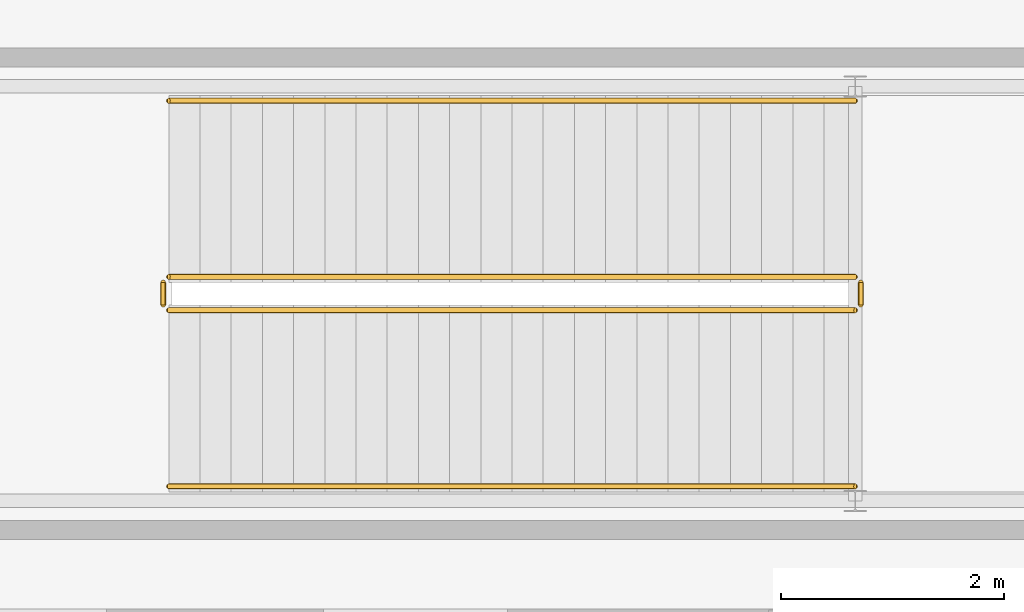
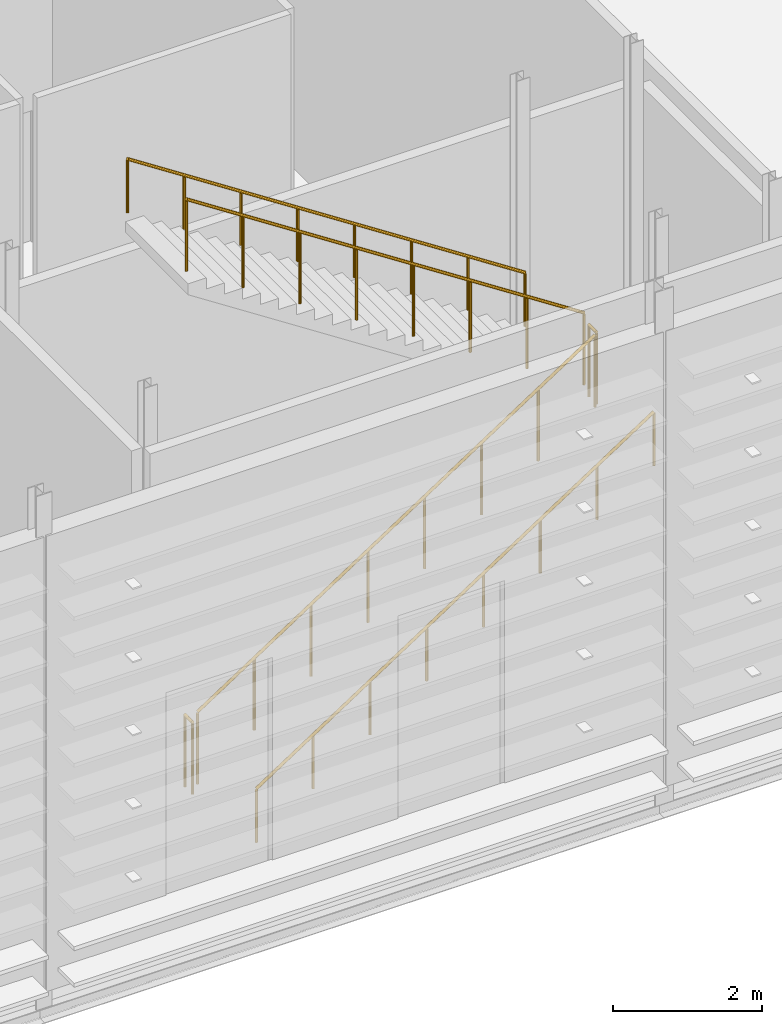
# One storey, part 70 of 73: 6 railings.
"""IFC4 building model written with IfcOpenShell, lengths in metres."""

from ifc_helpers import new_model, si_unit, direction, frame, origin, origin_2d, place, context, subcontext, project, spatial, circle, extrude, material, type_object, element, save


model = new_model("IFC4")

# Units and contexts
model_context = context("Model", 3, precision=1e-05, world=origin(), true_north=direction((0.0, 1.0)))
body_context = subcontext(model_context, "Body", "Model", "MODEL_VIEW")
ifc_project = project(units=[si_unit("LENGTHUNIT", "METRE"), si_unit("AREAUNIT", "SQUARE_METRE"), si_unit("VOLUMEUNIT", "CUBIC_METRE"), si_unit("PLANEANGLEUNIT", "RADIAN"), si_unit("MASSUNIT", "GRAM", prefix="KILO")], contexts=[model_context])

# Site, building, storey
site_placement = place(None, origin())
site = spatial("IfcSite", under=ifc_project, at=site_placement, CompositionType="ELEMENT")
building_placement = place(site_placement, origin())
building = spatial("IfcBuilding", under=site, at=building_placement, Name="Alderhovde Museum", CompositionType="ELEMENT")
storey_placement = place(building_placement, frame((0.0, 0.0, 17.39990234375)))
storey = spatial("IfcBuildingStorey", under=building, at=storey_placement, Name="L04", CompositionType="ELEMENT", Elevation=17.39990234375)

# Railings
ifc_material_1 = material(Name="Painted Steel S355 Guardrail", Category="steel")
railing_type_1 = type_object("IfcRailingType", Name="RL-GUARD-1200", PredefinedType="GUARDRAIL", material=ifc_material_1)
railing_1_placement = place(storey_placement, frame((23.280029296875, 50.830078125, 0.1826171875)))
element("IfcRailing", 1, at=railing_1_placement, inside=storey, type_object=railing_type_1, Name="L04 ST1 stair guard 1", PredefinedType="GUARDRAIL", context=body_context, shape_type="SweptSolid", body=[
    extrude(circle(Radius=0.02392578125, at=origin_2d()), frame((0.0, 0.0, 1.17578125), z_axis=(0.837595406872, 0.0, 0.546291071122), x_axis=(0.0, 1.0, 0.0)), (0.0, 0.0, 1.0), 7.354248046875),
    extrude(circle(Radius=0.02099609375, at=origin_2d()), origin(), (0.0, 0.0, 1.0), 1.15185546875),
    extrude(circle(Radius=0.02099609375, at=origin_2d()), frame((0.8798828125, 0.0, 0.573974609375)), (0.0, 0.0, 1.0), 1.15185546875),
    extrude(circle(Radius=0.02099609375, at=origin_2d()), frame((1.760009765625, 0.0, 1.14794921875)), (0.0, 0.0, 1.0), 1.15185546875),
    extrude(circle(Radius=0.02099609375, at=origin_2d()), frame((2.639892578125, 0.0, 1.721923828125)), (0.0, 0.0, 1.0), 1.15185546875),
    extrude(circle(Radius=0.02099609375, at=origin_2d()), frame((3.52001953125, 0.0, 2.295654296875)), (0.0, 0.0, 1.0), 1.15185546875),
    extrude(circle(Radius=0.02099609375, at=origin_2d()), frame((4.39990234375, 0.0, 2.86962890625)), (0.0, 0.0, 1.0), 1.15185546875),
    extrude(circle(Radius=0.02099609375, at=origin_2d()), frame((5.280029296875, 0.0, 3.443603515625)), (0.0, 0.0, 1.0), 1.15185546875),
    extrude(circle(Radius=0.02099609375, at=origin_2d()), frame((6.159912109375, 0.0, 4.017578125)), (0.0, 0.0, 1.0), 1.15185546875),
])
railing_2_placement = place(storey_placement, frame((29.489990234375, 50.8798828125, 4.2001953125)))
element("IfcRailing", 2, at=railing_2_placement, inside=storey, type_object=railing_type_1, Name="L04 ST1 stair guard 2", PredefinedType="GUARDRAIL", context=body_context, shape_type="SweptSolid", body=[
    extrude(circle(Radius=0.02392578125, at=origin_2d()), frame((0.0, 0.0, 1.17578125), z_axis=(0.0, 1.0, 0.0), x_axis=(-1.0, 0.0, 0.0)), (0.0, 0.0, 1.0), 0.2001953125),
    extrude(circle(Radius=0.02099609375, at=origin_2d()), origin(), (0.0, 0.0, 1.0), 1.15185546875),
    extrude(circle(Radius=0.02099609375, at=origin_2d()), frame((0.0, 0.2001953125, 0.0)), (0.0, 0.0, 1.0), 1.15185546875),
])
railing_3_placement = place(storey_placement, frame((29.43994140625, 51.1298828125, 4.3828125)))
element("IfcRailing", 3, at=railing_3_placement, inside=storey, type_object=railing_type_1, Name="L04 ST1 stair guard 3", PredefinedType="GUARDRAIL", context=body_context, shape_type="SweptSolid", body=[
    extrude(circle(Radius=0.02392578125, at=origin_2d()), frame((0.0, 0.0, 1.17578125), z_axis=(-0.837610596839, 0.0, 0.546267780547), x_axis=(0.0, -1.0, 0.0)), (0.0, 0.0, 1.0), 7.354248046875),
    extrude(circle(Radius=0.02099609375, at=origin_2d()), origin(), (0.0, 0.0, 1.0), 1.15185546875),
    extrude(circle(Radius=0.02099609375, at=origin_2d()), frame((-0.8798828125, 0.0, 0.573974609375)), (0.0, 0.0, 1.0), 1.15185546875),
    extrude(circle(Radius=0.02099609375, at=origin_2d()), frame((-1.760009765625, 0.0, 1.147705078125)), (0.0, 0.0, 1.0), 1.15185546875),
    extrude(circle(Radius=0.02099609375, at=origin_2d()), frame((-2.639892578125, 0.0, 1.7216796875)), (0.0, 0.0, 1.0), 1.15185546875),
    extrude(circle(Radius=0.02099609375, at=origin_2d()), frame((-3.52001953125, 0.0, 2.295654296875)), (0.0, 0.0, 1.0), 1.15185546875),
    extrude(circle(Radius=0.02099609375, at=origin_2d()), frame((-4.39990234375, 0.0, 2.86962890625)), (0.0, 0.0, 1.0), 1.15185546875),
    extrude(circle(Radius=0.02099609375, at=origin_2d()), frame((-5.280029296875, 0.0, 3.443359375)), (0.0, 0.0, 1.0), 1.15185546875),
    extrude(circle(Radius=0.02099609375, at=origin_2d()), frame((-6.159912109375, 0.0, 4.017333984375)), (0.0, 0.0, 1.0), 1.15185546875),
])
railing_4_placement = place(storey_placement, frame((23.22998046875, 50.8798828125, 0.0)))
element("IfcRailing", 4, at=railing_4_placement, inside=storey, type_object=railing_type_1, Name="L04 ST1 stair guard 4", PredefinedType="GUARDRAIL", context=body_context, shape_type="SweptSolid", body=[
    extrude(circle(Radius=0.02392578125, at=origin_2d()), frame((0.0, 0.0, 1.17578125), z_axis=(0.0, 1.0, 0.0), x_axis=(-1.0, 0.0, 0.0)), (0.0, 0.0, 1.0), 0.2001953125),
    extrude(circle(Radius=0.02099609375, at=origin_2d()), origin(), (0.0, 0.0, 1.0), 1.15185546875),
    extrude(circle(Radius=0.02099609375, at=origin_2d()), frame((0.0, 0.2001953125, 0.0)), (0.0, 0.0, 1.0), 1.15185546875),
])
ifc_material_2 = material(Name="Brushed Stainless Steel Handrail", Category="steel")
railing_type_2 = type_object("IfcRailingType", Name="RL-HANDRAIL-900", PredefinedType="HANDRAIL", material=ifc_material_2)
railing_5_placement = place(storey_placement, frame((23.280029296875, 49.25, 0.1826171875)))
element("IfcRailing", 5, at=railing_5_placement, inside=storey, type_object=railing_type_2, Name="L04 ST1 stair handrail 1", PredefinedType="HANDRAIL", context=body_context, shape_type="SweptSolid", body=[
    extrude(circle(Radius=0.02392578125, at=origin_2d()), frame((0.0, 0.0, 0.8759765625), z_axis=(0.837595406872, 0.0, 0.546291071122), x_axis=(0.0, 1.0, 0.0)), (0.0, 0.0, 1.0), 7.354248046875),
    extrude(circle(Radius=0.02099609375, at=origin_2d()), origin(), (0.0, 0.0, 1.0), 0.851806640625),
    extrude(circle(Radius=0.02099609375, at=origin_2d()), frame((0.8798828125, 0.0, 0.573974609375)), (0.0, 0.0, 1.0), 0.851806640625),
    extrude(circle(Radius=0.02099609375, at=origin_2d()), frame((1.760009765625, 0.0, 1.14794921875)), (0.0, 0.0, 1.0), 0.851806640625),
    extrude(circle(Radius=0.02099609375, at=origin_2d()), frame((2.639892578125, 0.0, 1.721923828125)), (0.0, 0.0, 1.0), 0.851806640625),
    extrude(circle(Radius=0.02099609375, at=origin_2d()), frame((3.52001953125, 0.0, 2.295654296875)), (0.0, 0.0, 1.0), 0.851806640625),
    extrude(circle(Radius=0.02099609375, at=origin_2d()), frame((4.39990234375, 0.0, 2.86962890625)), (0.0, 0.0, 1.0), 0.851806640625),
    extrude(circle(Radius=0.02099609375, at=origin_2d()), frame((5.280029296875, 0.0, 3.443603515625)), (0.0, 0.0, 1.0), 0.851806640625),
    extrude(circle(Radius=0.02099609375, at=origin_2d()), frame((6.159912109375, 0.0, 4.017578125)), (0.0, 0.0, 1.0), 0.851806640625),
])
railing_6_placement = place(storey_placement, frame((29.43994140625, 52.7099609375, 4.3828125)))
element("IfcRailing", 6, at=railing_6_placement, inside=storey, type_object=railing_type_2, Name="L04 ST1 stair handrail 2", PredefinedType="HANDRAIL", context=body_context, shape_type="SweptSolid", body=[
    extrude(circle(Radius=0.02392578125, at=origin_2d()), frame((0.0, 0.0, 0.8759765625), z_axis=(-0.837610596839, 0.0, 0.546267780547), x_axis=(0.0, -1.0, 0.0)), (0.0, 0.0, 1.0), 7.354248046875),
    extrude(circle(Radius=0.02099609375, at=origin_2d()), origin(), (0.0, 0.0, 1.0), 0.851806640625),
    extrude(circle(Radius=0.02099609375, at=origin_2d()), frame((-0.8798828125, 0.0, 0.573974609375)), (0.0, 0.0, 1.0), 0.851806640625),
    extrude(circle(Radius=0.02099609375, at=origin_2d()), frame((-1.760009765625, 0.0, 1.147705078125)), (0.0, 0.0, 1.0), 0.851806640625),
    extrude(circle(Radius=0.02099609375, at=origin_2d()), frame((-2.639892578125, 0.0, 1.7216796875)), (0.0, 0.0, 1.0), 0.851806640625),
    extrude(circle(Radius=0.02099609375, at=origin_2d()), frame((-3.52001953125, 0.0, 2.295654296875)), (0.0, 0.0, 1.0), 0.851806640625),
    extrude(circle(Radius=0.02099609375, at=origin_2d()), frame((-4.39990234375, 0.0, 2.86962890625)), (0.0, 0.0, 1.0), 0.851806640625),
    extrude(circle(Radius=0.02099609375, at=origin_2d()), frame((-5.280029296875, 0.0, 3.443359375)), (0.0, 0.0, 1.0), 0.851806640625),
    extrude(circle(Radius=0.02099609375, at=origin_2d()), frame((-6.159912109375, 0.0, 4.017333984375)), (0.0, 0.0, 1.0), 0.851806640625),
])

save(model, "model.ifc")
